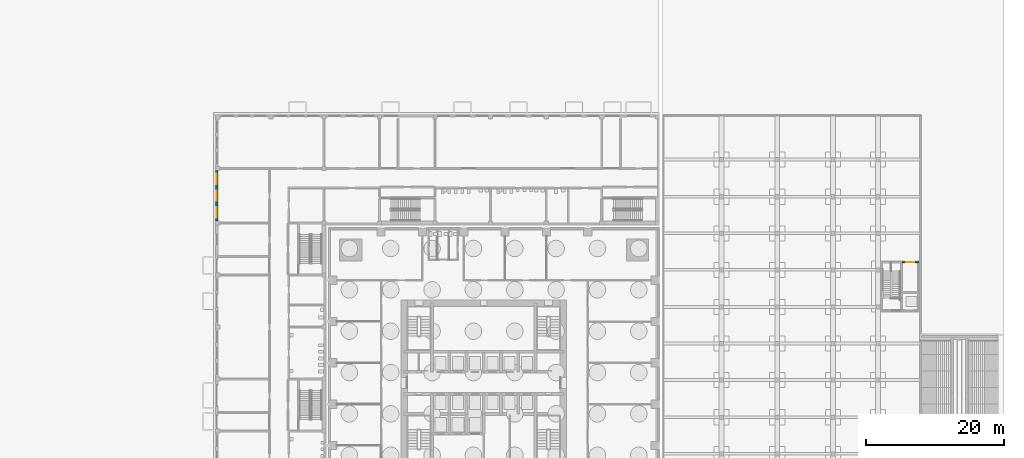
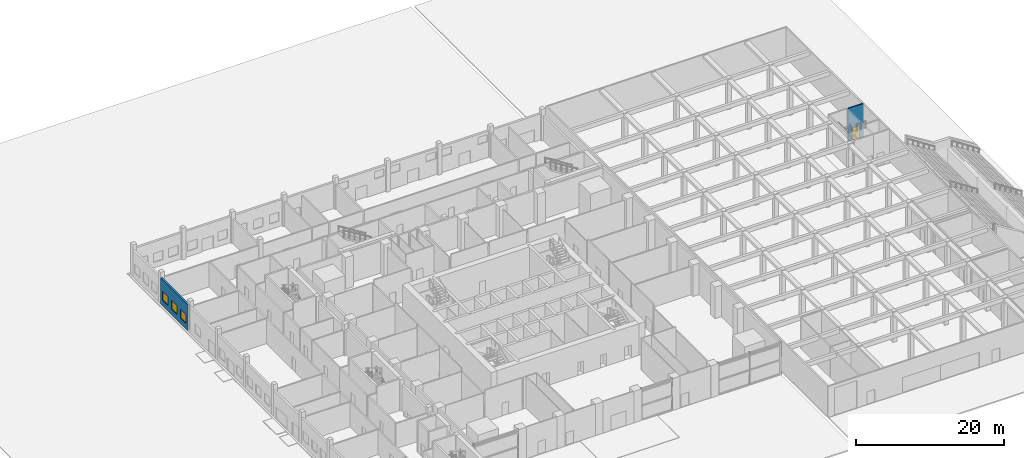
# One storey, part 18 of 33: 3 windows, 2 walls, 1 door, 4 openings.
"""IFC4 building model written with IfcOpenShell, lengths in metres."""

from ifc_helpers import new_model, si_unit, direction, frame, frame_2d, origin, place, context, subcontext, project, spatial, rectangle, extrude, material, layer, layer_set, type_object, element, fill, save


model = new_model("IFC4")

# Units and contexts
model_context = context("Model", 3, precision=1e-05, world=origin(), true_north=direction((0.0, 1.0)))
body_context = subcontext(model_context, "Body", "Model", "MODEL_VIEW")
ifc_project = project(units=[si_unit("LENGTHUNIT", "METRE"), si_unit("AREAUNIT", "SQUARE_METRE"), si_unit("VOLUMEUNIT", "CUBIC_METRE"), si_unit("PLANEANGLEUNIT", "RADIAN"), si_unit("MASSUNIT", "GRAM", prefix="KILO")], contexts=[model_context])

# Site, building, storey
site_placement = place(None, origin())
site = spatial("IfcSite", under=ifc_project, at=site_placement, CompositionType="ELEMENT")
building_placement = place(site_placement, origin())
building = spatial("IfcBuilding", under=site, at=building_placement, Name="Amberfall Residences", CompositionType="ELEMENT")
storey_placement = place(building_placement, origin())
storey = spatial("IfcBuildingStorey", under=building, at=storey_placement, Name="L00", CompositionType="ELEMENT", Elevation=0.0)

# Wall, opening, door
ifc_material_1 = material(Name="Reinforced concrete C40", Category="concrete")
ifc_layer_1 = layer(ifc_material_1, 0.199951171875)
ifc_layer_set_1 = layer_set([ifc_layer_1], Name="Lift head wall 200")
wall_type_1 = type_object("IfcWallType", Name="Lift head wall 200", PredefinedType="SOLIDWALL", material=ifc_layer_set_1)
wall_1_placement = place(storey_placement, frame((135.199951171875, 63.0, 0.0), z_axis=(0.0, 0.0, 1.0), x_axis=(1.0, 0.0, 0.0)))
wall_1 = element("IfcWall", 1, at=wall_1_placement, inside=storey, type_object=wall_type_1, Name="Garden riser room north wall", PredefinedType="SOLIDWALL", context=body_context, shape_type="SweptSolid", body=[
    extrude(rectangle(XDim=2.400146484375, YDim=0.199951171875, at=frame_2d((1.2001953125, 0.0))), origin(), (0.0, 0.0, 1.0), 5.5),
])
opening_1_placement = place(wall_1_placement, frame((0.60009765625, 0.0, 0.0)))
opening_1 = element("IfcOpeningElement", 2, at=opening_1_placement, cuts=wall_1, Name="Opening D7", PredefinedType="OPENING", context=body_context, shape_type="SweptSolid", body=[
    extrude(rectangle(XDim=1.199951171875, YDim=2.10009765625, at=frame_2d((0.60009765625, 1.050048828125))), frame((0.0, 0.10986328125, 0.0), z_axis=(0.0, -1.0, 0.0), x_axis=(1.0, 0.0, 0.0)), (0.0, 0.0, 1.0), 0.219970703125),
])
ifc_material_2 = material(Name="Steel fire door leaf", Category="steel")
door_type = type_object("IfcDoorType", Name="Plant room door 1200x2100", OperationType="SINGLE_SWING_LEFT", PredefinedType="DOOR", material=ifc_material_2)
door_placement = place(opening_1_placement, origin())
door = element("IfcDoor", 3, at=door_placement, inside=storey, type_object=door_type, Name="Garden riser room door", OperationType="SINGLE_SWING_LEFT", OverallHeight=2.10009765625, OverallWidth=1.199951171875, PredefinedType="DOOR", context=body_context, shape_type="SweptSolid", body=[
    extrude(rectangle(XDim=1.199951171875, YDim=2.10009765625, at=frame_2d((0.60009765625, 1.050048828125))), frame((0.0, 0.02490234375, 0.0), z_axis=(0.0, -1.0, 0.0), x_axis=(1.0, 0.0, 0.0)), (0.0, 0.0, 1.0), 0.050048828125),
])
fill(opening_1, door)

# Wall, openings, windows
ifc_material_3 = material(Name="Aerated block wall")
ifc_layer_2 = layer(ifc_material_3, 0.300048828125)
ifc_layer_set_2 = layer_set([ifc_layer_2], Name="School external wall 300")
wall_type_2 = type_object("IfcWallType", Name="School external wall 300", PredefinedType="SOLIDWALL", material=ifc_layer_set_2)
wall_2_placement = place(storey_placement, frame((35.75, 69.0, 0.0), z_axis=(0.0, 0.0, 1.0), x_axis=(0.0, 1.0, 0.0)))
wall_2 = element("IfcWall", 4, at=wall_2_placement, inside=storey, type_object=wall_type_2, Name="School external wall L00 EW8", PredefinedType="SOLIDWALL", context=body_context, shape_type="SweptSolid", body=[
    extrude(rectangle(XDim=7.300048828125, YDim=0.300048828125, at=frame_2d((3.64990234375, 0.0))), origin(), (0.0, 0.0, 1.0), 4.300048828125),
])
opening_2_placement = place(wall_2_placement, frame((0.466796875, 0.0, 0.89990234375)))
opening_2 = element("IfcOpeningElement", 5, at=opening_2_placement, cuts=wall_2, Name="Opening SWN1", PredefinedType="OPENING", context=body_context, shape_type="SweptSolid", body=[
    extrude(rectangle(XDim=1.5, YDim=1.5, at=frame_2d((0.75, 0.75))), frame((0.0, 0.159912109375, 0.0), z_axis=(0.0, -1.0, 0.0), x_axis=(1.0, 0.0, 0.0)), (0.0, 0.0, 1.0), 0.320068359375),
])
opening_3_placement = place(wall_2_placement, frame((2.89990234375, 0.0, 0.89990234375)))
opening_3 = element("IfcOpeningElement", 6, at=opening_3_placement, cuts=wall_2, Name="Opening SWN1", PredefinedType="OPENING", context=body_context, shape_type="SweptSolid", body=[
    extrude(rectangle(XDim=1.5, YDim=1.5, at=frame_2d((0.75, 0.75))), frame((0.0, 0.159912109375, 0.0), z_axis=(0.0, -1.0, 0.0), x_axis=(1.0, 0.0, 0.0)), (0.0, 0.0, 1.0), 0.320068359375),
])
opening_4_placement = place(wall_2_placement, frame((5.333251953125, 0.0, 0.89990234375)))
opening_4 = element("IfcOpeningElement", 7, at=opening_4_placement, cuts=wall_2, Name="Opening SWN1", PredefinedType="OPENING", context=body_context, shape_type="SweptSolid", body=[
    extrude(rectangle(XDim=1.5, YDim=1.5, at=frame_2d((0.75, 0.75))), frame((0.0, 0.159912109375, 0.0), z_axis=(0.0, -1.0, 0.0), x_axis=(1.0, 0.0, 0.0)), (0.0, 0.0, 1.0), 0.320068359375),
])
ifc_material_4 = material(Name="Aluminium window", Category="aluminium")
window_type = type_object("IfcWindowType", Name="School window 1500 x 1500", PartitioningType="DOUBLE_PANEL_HORIZONTAL", PredefinedType="WINDOW", material=ifc_material_4)
window_1_placement = place(opening_2_placement, origin())
window_1 = element("IfcWindow", 8, at=window_1_placement, inside=storey, type_object=window_type, Name="School window L00 EW8-1", OverallHeight=1.5, OverallWidth=1.5, PartitioningType="DOUBLE_PANEL_HORIZONTAL", PredefinedType="WINDOW", context=body_context, shape_type="SweptSolid", body=[
    extrude(rectangle(XDim=1.5, YDim=1.5, at=frame_2d((0.75, 0.75))), frame((0.0, 0.030029296875, 0.0), z_axis=(0.0, -1.0, 0.0), x_axis=(1.0, 0.0, 0.0)), (0.0, 0.0, 1.0), 0.06005859375),
])
fill(opening_2, window_1)
window_2_placement = place(opening_3_placement, origin())
window_2 = element("IfcWindow", 9, at=window_2_placement, inside=storey, type_object=window_type, Name="School window L00 EW8-2", OverallHeight=1.5, OverallWidth=1.5, PartitioningType="DOUBLE_PANEL_HORIZONTAL", PredefinedType="WINDOW", context=body_context, shape_type="SweptSolid", body=[
    extrude(rectangle(XDim=1.5, YDim=1.5, at=frame_2d((0.75, 0.75))), frame((0.0, 0.030029296875, 0.0), z_axis=(0.0, -1.0, 0.0), x_axis=(1.0, 0.0, 0.0)), (0.0, 0.0, 1.0), 0.06005859375),
])
fill(opening_3, window_2)
window_3_placement = place(opening_4_placement, origin())
window_3 = element("IfcWindow", 10, at=window_3_placement, inside=storey, type_object=window_type, Name="School window L00 EW8-3", OverallHeight=1.5, OverallWidth=1.5, PartitioningType="DOUBLE_PANEL_HORIZONTAL", PredefinedType="WINDOW", context=body_context, shape_type="SweptSolid", body=[
    extrude(rectangle(XDim=1.5, YDim=1.5, at=frame_2d((0.75, 0.75))), frame((0.0, 0.030029296875, 0.0), z_axis=(0.0, -1.0, 0.0), x_axis=(1.0, 0.0, 0.0)), (0.0, 0.0, 1.0), 0.06005859375),
])
fill(opening_4, window_3)

save(model, "model.ifc")
